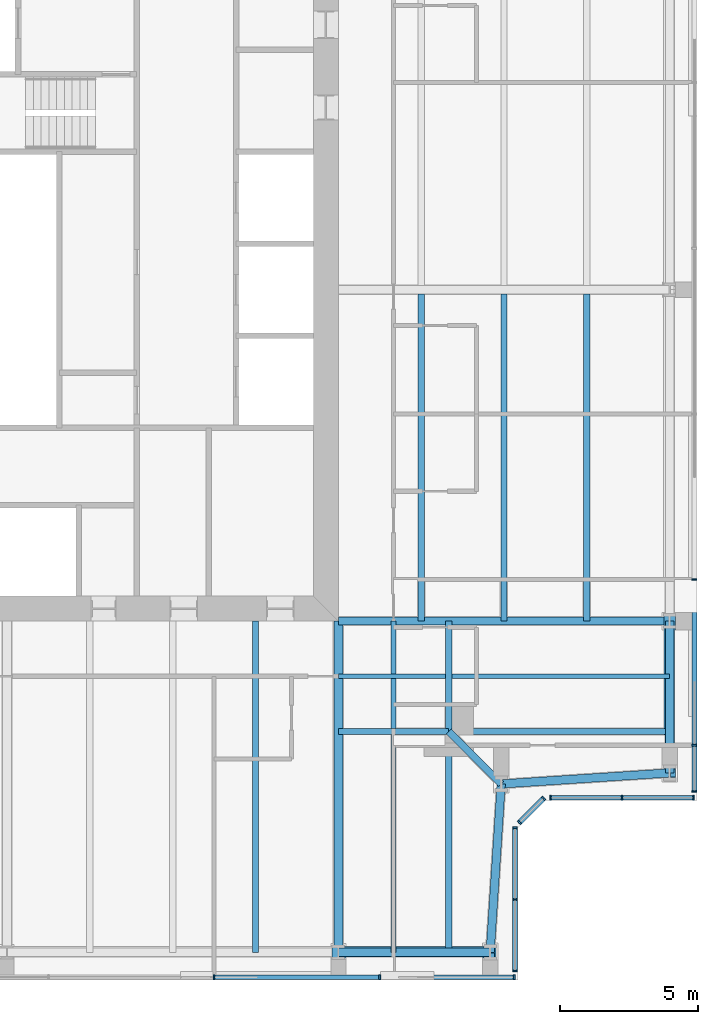
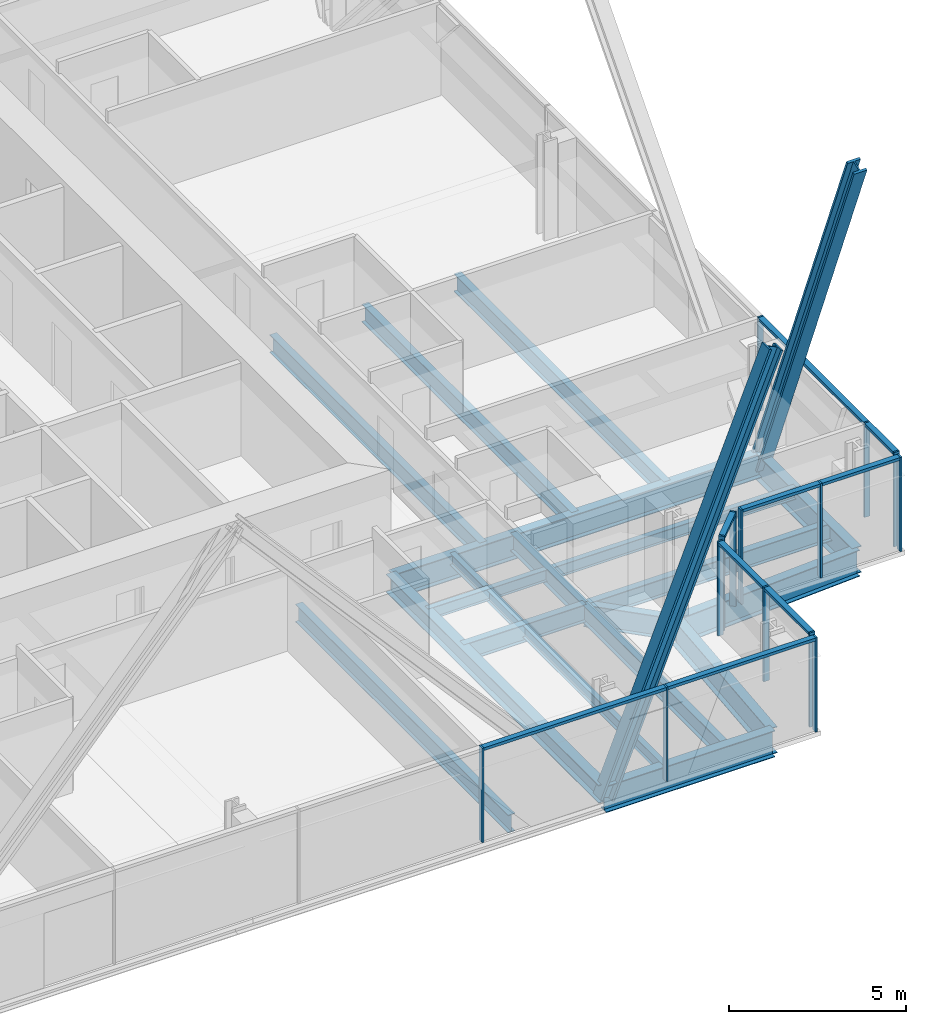
# One storey, part 5 of 18: 25 members, 20 beams, 5 elements without a shape of their own.
"""IFC4 building model written with IfcOpenShell, lengths in metres."""

from ifc_helpers import new_model, si_unit, direction, frame, origin, origin_2d, place, context, subcontext, project, spatial, rectangle, i_section, extrude, material, material_profile, profile_set, type_object, element, aggregate, save


model = new_model("IFC4")

# Units and contexts
model_context = context("Model", 3, precision=1e-05, world=origin(), true_north=direction((0.0, 1.0)))
body_context = subcontext(model_context, "Body", "Model", "MODEL_VIEW")
ifc_project = project(units=[si_unit("LENGTHUNIT", "METRE"), si_unit("AREAUNIT", "SQUARE_METRE"), si_unit("VOLUMEUNIT", "CUBIC_METRE"), si_unit("PLANEANGLEUNIT", "RADIAN"), si_unit("MASSUNIT", "GRAM", prefix="KILO")], contexts=[model_context])

# Site, building, storey
site_placement = place(None, origin())
site = spatial("IfcSite", under=ifc_project, at=site_placement, CompositionType="ELEMENT")
building_placement = place(site_placement, origin())
building = spatial("IfcBuilding", under=site, at=building_placement, Name="Fenwick Lantern Interchange", CompositionType="ELEMENT")
storey_placement = place(building_placement, frame((0.0, 0.0, 269.60009765625)))
storey = spatial("IfcBuildingStorey", under=building, at=storey_placement, Name="L64", CompositionType="ELEMENT", Elevation=269.60009765625)

# Beams
ifc_material_1 = material(Name="Steel ASTM A992 Grade 50", Category="steel")
ifc_material_profile_1 = material_profile(ifc_material_1, i_section(OverallWidth=0.3046875, OverallDepth=0.911865234375, WebThickness=0.015869140625, FlangeThickness=0.02392578125, at=origin_2d()), Name="W36X150")
ifc_profile_set_1 = profile_set([ifc_material_profile_1], Name="Steel ASTM A992 Grade 50")
beam_type_1 = type_object("IfcBeamType", Name="EDGE BEAM W36X150", PredefinedType="SPANDREL", material=ifc_profile_set_1)
beam_1_placement = place(storey_placement, frame((37.0, 1.0, -0.60595703125), z_axis=(1.0, 0.0, 0.0), x_axis=(0.0, 1.0, 0.0)))
element("IfcBeam", 1, at=beam_1_placement, inside=storey, type_object=beam_type_1, Name="L64/FR/S/EB4", PredefinedType="SPANDREL", context=body_context, shape_type="SweptSolid", body=[
    extrude(i_section(OverallWidth=0.3046875, OverallDepth=0.911865234375, WebThickness=0.015869140625, FlangeThickness=0.02392578125, at=origin_2d()), origin(), (0.0, 0.0, 1.0), 5.5),
])
for number, where, z_axis, x_axis, name in (
    (2, (42.5, 1.0, -0.60595703125), (0.065416293237, 0.997858060337, 0.0), (-0.997858060337, 0.065416293237, 0.0), "L64/FR/S/EBR1"),
    (3, (42.89990234375, 7.10009765625, -0.60595703125), (0.997858060337, 0.065416293237, 0.0), (-0.065416293237, 0.997858060337, 0.0), "L64/FR/S/EBR2"),
):
    element("IfcBeam", number, at=place(storey_placement, frame(where, z_axis=z_axis, x_axis=x_axis)), inside=storey, type_object=beam_type_1, Name=name, PredefinedType="SPANDREL", context=body_context, shape_type="SweptSolid", body=[
        extrude(i_section(OverallWidth=0.3046875, OverallDepth=0.911865234375, WebThickness=0.015869140625, FlangeThickness=0.02392578125, at=origin_2d()), origin(), (0.0, 0.0, 1.0), 6.11328125),
    ])
beam_2_placement = place(storey_placement, frame((49.0, 7.5, -0.60595703125), z_axis=(0.0, 1.0, 0.0), x_axis=(-1.0, 0.0, 0.0)))
element("IfcBeam", 4, at=beam_2_placement, inside=storey, type_object=beam_type_1, Name="L64/FR/E/EB1", PredefinedType="SPANDREL", context=body_context, shape_type="SweptSolid", body=[
    extrude(i_section(OverallWidth=0.3046875, OverallDepth=0.911865234375, WebThickness=0.015869140625, FlangeThickness=0.02392578125, at=origin_2d()), origin(), (0.0, 0.0, 1.0), 5.5),
])

# Members
ifc_material_profile_2 = material_profile(ifc_material_1, i_section(OverallWidth=0.424072265625, OverallDepth=0.47509765625, WebThickness=0.0478515625, FlangeThickness=0.0771484375, at=origin_2d()), Name="W14X426")
ifc_profile_set_2 = profile_set([ifc_material_profile_2], Name="Steel ASTM A992 Grade 50")
member_type_1 = type_object("IfcMemberType", Name="FACADE BRACE W14X426", PredefinedType="BRACE", material=ifc_profile_set_2)
for number, where, z_axis, x_axis, name in (
    (5, (37.0, 1.0, -0.60595703125), (0.37491730453, 0.0, 0.92705825856), (0.0, 1.0, 0.0), "L64/FB/S/BE"),
    (6, (49.0, 13.0, -0.60595703125), (0.0, -0.37491730453, 0.92705825856), (1.0, 0.0, 0.0), "L64/FB/E/AE"),
):
    element("IfcMember", number, at=place(storey_placement, frame(where, z_axis=z_axis, x_axis=x_axis)), inside=storey, type_object=member_type_1, Name=name, PredefinedType="BRACE", context=body_context, shape_type="SweptSolid", body=[
        extrude(i_section(OverallWidth=0.424072265625, OverallDepth=0.47509765625, WebThickness=0.0478515625, FlangeThickness=0.0771484375, at=origin_2d()), origin(), (0.0, 0.0, 1.0), 14.669921875),
    ])

# Beams
ifc_material_profile_3 = material_profile(ifc_material_1, i_section(OverallWidth=0.22900390625, OverallDepth=0.612060546875, WebThickness=0.011962890625, FlangeThickness=0.01953125, at=origin_2d()), Name="W24X84")
ifc_profile_set_3 = profile_set([ifc_material_profile_3], Name="Steel ASTM A992 Grade 50")
beam_type_2 = type_object("IfcBeamType", Name="FLOOR BEAM W24X84", PredefinedType="BEAM", material=ifc_profile_set_3)
beam_3_placement = place(storey_placement, frame((34.0, 1.0, -0.4560546875), z_axis=(0.0, 1.0, 0.0), x_axis=(-1.0, 0.0, 0.0)))
element("IfcBeam", 7, at=beam_3_placement, inside=storey, type_object=beam_type_2, Name="L64/FR/S/R08", PredefinedType="BEAM", context=body_context, shape_type="SweptSolid", body=[
    extrude(i_section(OverallWidth=0.22900390625, OverallDepth=0.612060546875, WebThickness=0.011962890625, FlangeThickness=0.01953125, at=origin_2d()), origin(), (0.0, 0.0, 1.0), 12.0),
])
for number, where, z_axis, x_axis, name in (
    (8, (46.0, 13.0, -0.4560546875), (0.0, 1.0, 0.0), (-1.0, 0.0, 0.0), "L64/FR/E/B01"),
    (9, (43.0, 13.0, -0.4560546875), (0.0, 1.0, 0.0), (-1.0, 0.0, 0.0), "L64/FR/E/B02"),
    (10, (40.0, 13.0, -0.4560546875), (0.0, 1.0, 0.0), (-1.0, 0.0, 0.0), "L64/FR/E/B03"),
):
    element("IfcBeam", number, at=place(storey_placement, frame(where, z_axis=z_axis, x_axis=x_axis)), inside=storey, type_object=beam_type_2, Name=name, PredefinedType="BEAM", context=body_context, shape_type="SweptSolid", body=[
        extrude(i_section(OverallWidth=0.22900390625, OverallDepth=0.612060546875, WebThickness=0.011962890625, FlangeThickness=0.01953125, at=origin_2d()), origin(), (0.0, 0.0, 1.0), 11.844970703125),
    ])

# Curtain wall, members
ifc_material_2 = material(Name="Aluminium curtain wall frame", Category="aluminium")
curtain_wall_type = type_object("IfcCurtainWallType", Name="HOTEL CURTAIN WALL", PredefinedType="USERDEFINED", material=ifc_material_2)
curtain_wall_1_placement = place(storey_placement, origin())
curtain_wall_1 = element("IfcCurtainWall", 11, at=curtain_wall_1_placement, inside=storey, type_object=curtain_wall_type, Name="Hotel curtain wall 01", ObjectType="HOTEL CURTAIN WALL", PredefinedType="USERDEFINED")
ifc_material_3 = material(Name="Aluminium extrusion", Category="aluminium")
ifc_material_profile_4 = material_profile(ifc_material_3, rectangle(XDim=0.179931640625, YDim=0.06005859375, at=origin_2d()), Name="HOTEL CURTAIN WALL MULLION 60 X 180")
ifc_profile_set_4 = profile_set([ifc_material_profile_4], Name="Aluminium extrusion")
member_type_2 = type_object("IfcMemberType", Name="HOTEL CURTAIN WALL MULLION 60 X 180", PredefinedType="MULLION", material=ifc_profile_set_4)
member_1_placement = place(storey_placement, frame((32.5, 0.10009765625, 0.0), z_axis=(0.0, 0.0, 1.0), x_axis=(0.0, 1.0, 0.0)))
member_1 = element("IfcMember", 12, at=member_1_placement, type_object=member_type_2, Name="L64/CW/01/M05", PredefinedType="MULLION", context=body_context, shape_type="SweptSolid", body=[
    extrude(rectangle(XDim=0.179931640625, YDim=0.06005859375, at=origin_2d()), origin(), (0.0, 0.0, 1.0), 3.25),
])
member_2_placement = place(storey_placement, frame((38.5, 0.10009765625, 0.0), z_axis=(0.0, 0.0, 1.0), x_axis=(0.0, 1.0, 0.0)))
member_2 = element("IfcMember", 13, at=member_2_placement, type_object=member_type_2, Name="L64/CW/01/M06", PredefinedType="MULLION", context=body_context, shape_type="SweptSolid", body=[
    extrude(rectangle(XDim=0.179931640625, YDim=0.06005859375, at=origin_2d()), origin(), (0.0, 0.0, 1.0), 3.25),
])
member_3_placement = place(storey_placement, frame((43.3701171875, 0.10009765625, 0.0), z_axis=(0.0, 0.0, 1.0), x_axis=(0.0, 1.0, 0.0)))
member_3 = element("IfcMember", 14, at=member_3_placement, type_object=member_type_2, Name="L64/CW/01/M07", PredefinedType="MULLION", context=body_context, shape_type="SweptSolid", body=[
    extrude(rectangle(XDim=0.179931640625, YDim=0.06005859375, at=origin_2d()), origin(), (0.0, 0.0, 1.0), 3.25),
])

curtain_wall_2_placement = place(storey_placement, origin())
curtain_wall_2 = element("IfcCurtainWall", 15, at=curtain_wall_2_placement, inside=storey, type_object=curtain_wall_type, Name="Hotel curtain wall 02", ObjectType="HOTEL CURTAIN WALL", PredefinedType="USERDEFINED")
member_4_placement = place(storey_placement, frame((43.39990234375, 0.330078125, 0.0), z_axis=(0.0, 0.0, 1.0), x_axis=(-1.0, 0.0, 0.0)))
member_4 = element("IfcMember", 16, at=member_4_placement, type_object=member_type_2, Name="L64/CW/02/M00", PredefinedType="MULLION", context=body_context, shape_type="SweptSolid", body=[
    extrude(rectangle(XDim=0.179931640625, YDim=0.06005859375, at=origin_2d()), origin(), (0.0, 0.0, 1.0), 3.25),
])
member_5_placement = place(storey_placement, frame((43.39990234375, 2.920654296875, 0.0), z_axis=(0.0, 0.0, 1.0), x_axis=(-1.0, 0.0, 0.0)))
member_5 = element("IfcMember", 17, at=member_5_placement, type_object=member_type_2, Name="L64/CW/02/M01", PredefinedType="MULLION", context=body_context, shape_type="SweptSolid", body=[
    extrude(rectangle(XDim=0.179931640625, YDim=0.06005859375, at=origin_2d()), origin(), (0.0, 0.0, 1.0), 3.25),
])
member_6_placement = place(storey_placement, frame((43.39990234375, 5.511474609375, 0.0), z_axis=(0.0, 0.0, 1.0), x_axis=(-1.0, 0.0, 0.0)))
member_6 = element("IfcMember", 18, at=member_6_placement, type_object=member_type_2, Name="L64/CW/02/M02", PredefinedType="MULLION", context=body_context, shape_type="SweptSolid", body=[
    extrude(rectangle(XDim=0.179931640625, YDim=0.06005859375, at=origin_2d()), origin(), (0.0, 0.0, 1.0), 3.25),
])

curtain_wall_3_placement = place(storey_placement, origin())
curtain_wall_3 = element("IfcCurtainWall", 19, at=curtain_wall_3_placement, inside=storey, type_object=curtain_wall_type, Name="Hotel curtain wall 03", ObjectType="HOTEL CURTAIN WALL", PredefinedType="USERDEFINED")
member_7_placement = place(storey_placement, frame((43.562744140625, 5.7041015625, 0.0), z_axis=(0.0, 0.0, 1.0), x_axis=(-0.707106781187, 0.707106781187, 0.0)))
member_7 = element("IfcMember", 20, at=member_7_placement, type_object=member_type_2, Name="L64/CW/03/M00", PredefinedType="MULLION", context=body_context, shape_type="SweptSolid", body=[
    extrude(rectangle(XDim=0.179931640625, YDim=0.06005859375, at=origin_2d()), origin(), (0.0, 0.0, 1.0), 3.25),
])
member_8_placement = place(storey_placement, frame((44.437255859375, 6.578857421875, 0.0), z_axis=(0.0, 0.0, 1.0), x_axis=(-0.707106781187, 0.707106781187, 0.0)))
member_8 = element("IfcMember", 21, at=member_8_placement, type_object=member_type_2, Name="L64/CW/03/M01", PredefinedType="MULLION", context=body_context, shape_type="SweptSolid", body=[
    extrude(rectangle(XDim=0.179931640625, YDim=0.06005859375, at=origin_2d()), origin(), (0.0, 0.0, 1.0), 3.25),
])

curtain_wall_4_placement = place(storey_placement, origin())
curtain_wall_4 = element("IfcCurtainWall", 22, at=curtain_wall_4_placement, inside=storey, type_object=curtain_wall_type, Name="Hotel curtain wall 04", ObjectType="HOTEL CURTAIN WALL", PredefinedType="USERDEFINED")
member_9_placement = place(storey_placement, frame((44.6884765625, 6.60009765625, 0.0), z_axis=(0.0, 0.0, 1.0), x_axis=(0.0, 1.0, 0.0)))
member_9 = element("IfcMember", 23, at=member_9_placement, type_object=member_type_2, Name="L64/CW/04/M00", PredefinedType="MULLION", context=body_context, shape_type="SweptSolid", body=[
    extrude(rectangle(XDim=0.179931640625, YDim=0.06005859375, at=origin_2d()), origin(), (0.0, 0.0, 1.0), 3.25),
])
member_10_placement = place(storey_placement, frame((47.279296875, 6.60009765625, 0.0), z_axis=(0.0, 0.0, 1.0), x_axis=(0.0, 1.0, 0.0)))
member_10 = element("IfcMember", 24, at=member_10_placement, type_object=member_type_2, Name="L64/CW/04/M01", PredefinedType="MULLION", context=body_context, shape_type="SweptSolid", body=[
    extrude(rectangle(XDim=0.179931640625, YDim=0.06005859375, at=origin_2d()), origin(), (0.0, 0.0, 1.0), 3.25),
])
member_11_placement = place(storey_placement, frame((49.8701171875, 6.60009765625, 0.0), z_axis=(0.0, 0.0, 1.0), x_axis=(0.0, 1.0, 0.0)))
member_11 = element("IfcMember", 25, at=member_11_placement, type_object=member_type_2, Name="L64/CW/04/M02", PredefinedType="MULLION", context=body_context, shape_type="SweptSolid", body=[
    extrude(rectangle(XDim=0.179931640625, YDim=0.06005859375, at=origin_2d()), origin(), (0.0, 0.0, 1.0), 3.25),
])

curtain_wall_5_placement = place(storey_placement, origin())
curtain_wall_5 = element("IfcCurtainWall", 26, at=curtain_wall_5_placement, inside=storey, type_object=curtain_wall_type, Name="Hotel curtain wall 05", ObjectType="HOTEL CURTAIN WALL", PredefinedType="USERDEFINED")
member_12_placement = place(storey_placement, frame((49.89990234375, 6.830078125, 0.0), z_axis=(0.0, 0.0, 1.0), x_axis=(-1.0, 0.0, 0.0)))
member_12 = element("IfcMember", 27, at=member_12_placement, type_object=member_type_2, Name="L64/CW/05/M00", PredefinedType="MULLION", context=body_context, shape_type="SweptSolid", body=[
    extrude(rectangle(XDim=0.179931640625, YDim=0.06005859375, at=origin_2d()), origin(), (0.0, 0.0, 1.0), 3.25),
])
member_13_placement = place(storey_placement, frame((49.89990234375, 8.5, 0.0), z_axis=(0.0, 0.0, 1.0), x_axis=(-1.0, 0.0, 0.0)))
member_13 = element("IfcMember", 28, at=member_13_placement, type_object=member_type_2, Name="L64/CW/05/M01", PredefinedType="MULLION", context=body_context, shape_type="SweptSolid", body=[
    extrude(rectangle(XDim=0.179931640625, YDim=0.06005859375, at=origin_2d()), origin(), (0.0, 0.0, 1.0), 3.25),
])
member_14_placement = place(storey_placement, frame((49.89990234375, 14.5, 0.0), z_axis=(0.0, 0.0, 1.0), x_axis=(-1.0, 0.0, 0.0)))
member_14 = element("IfcMember", 29, at=member_14_placement, type_object=member_type_2, Name="L64/CW/05/M02", PredefinedType="MULLION", context=body_context, shape_type="SweptSolid", body=[
    extrude(rectangle(XDim=0.179931640625, YDim=0.06005859375, at=origin_2d()), origin(), (0.0, 0.0, 1.0), 3.25),
])

# Member
ifc_material_profile_5 = material_profile(ifc_material_3, rectangle(XDim=0.179931640625, YDim=0.10009765625, at=origin_2d()), Name="HOTEL CURTAIN WALL TRANSOM 100 X 180")
ifc_profile_set_5 = profile_set([ifc_material_profile_5], Name="Aluminium extrusion")
member_type_3 = type_object("IfcMemberType", Name="HOTEL CURTAIN WALL TRANSOM 100 X 180", PredefinedType="MULLION", material=ifc_profile_set_5)
member_15_placement = place(storey_placement, frame((32.530029296875, 0.10009765625, 3.199951171875), z_axis=(1.0, 0.0, 0.0), x_axis=(0.0, 1.0, 0.0)))
member_15 = element("IfcMember", 30, at=member_15_placement, type_object=member_type_3, Name="L64/CW/01/T05", PredefinedType="MULLION", context=body_context, shape_type="SweptSolid", body=[
    extrude(rectangle(XDim=0.179931640625, YDim=0.10009765625, at=origin_2d()), origin(), (0.0, 0.0, 1.0), 5.93994140625),
])

member_16_placement = place(storey_placement, frame((38.530029296875, 0.10009765625, 3.199951171875), z_axis=(1.0, 0.0, 0.0), x_axis=(0.0, 1.0, 0.0)))
member_16 = element("IfcMember", 31, at=member_16_placement, type_object=member_type_3, Name="L64/CW/01/T06", PredefinedType="MULLION", context=body_context, shape_type="SweptSolid", body=[
    extrude(rectangle(XDim=0.179931640625, YDim=0.10009765625, at=origin_2d()), origin(), (0.0, 0.0, 1.0), 4.81005859375),
])

aggregate(curtain_wall_1, [member_1, member_2, member_3, member_15, member_16])

member_17_placement = place(storey_placement, frame((43.39990234375, 0.360107421875, 3.199951171875), z_axis=(0.0, 1.0, 0.0), x_axis=(-1.0, 0.0, 0.0)))
member_17 = element("IfcMember", 32, at=member_17_placement, type_object=member_type_3, Name="L64/CW/02/T00", PredefinedType="MULLION", context=body_context, shape_type="SweptSolid", body=[
    extrude(rectangle(XDim=0.179931640625, YDim=0.10009765625, at=origin_2d()), origin(), (0.0, 0.0, 1.0), 2.530517578125),
])

member_18_placement = place(storey_placement, frame((43.39990234375, 2.95068359375, 3.199951171875), z_axis=(0.0, 1.0, 0.0), x_axis=(-1.0, 0.0, 0.0)))
member_18 = element("IfcMember", 33, at=member_18_placement, type_object=member_type_3, Name="L64/CW/02/T01", PredefinedType="MULLION", context=body_context, shape_type="SweptSolid", body=[
    extrude(rectangle(XDim=0.179931640625, YDim=0.10009765625, at=origin_2d()), origin(), (0.0, 0.0, 1.0), 2.53076171875),
])

aggregate(curtain_wall_2, [member_4, member_5, member_6, member_17, member_18])

member_19_placement = place(storey_placement, frame((43.583740234375, 5.725341796875, 3.199951171875), z_axis=(0.707210470133, 0.707003077033, 0.0), x_axis=(-0.707003077033, 0.707210470133, 0.0)))
member_19 = element("IfcMember", 34, at=member_19_placement, type_object=member_type_3, Name="L64/CW/03/T00", PredefinedType="MULLION", context=body_context, shape_type="SweptSolid", body=[
    extrude(rectangle(XDim=0.179931640625, YDim=0.10009765625, at=origin_2d()), origin(), (0.0, 0.0, 1.0), 1.17724609375),
])

aggregate(curtain_wall_3, [member_7, member_8, member_19])

member_20_placement = place(storey_placement, frame((44.718505859375, 6.60009765625, 3.199951171875), z_axis=(1.0, 0.0, 0.0), x_axis=(0.0, 1.0, 0.0)))
member_20 = element("IfcMember", 35, at=member_20_placement, type_object=member_type_3, Name="L64/CW/04/T00", PredefinedType="MULLION", context=body_context, shape_type="SweptSolid", body=[
    extrude(rectangle(XDim=0.179931640625, YDim=0.10009765625, at=origin_2d()), origin(), (0.0, 0.0, 1.0), 2.53076171875),
])

member_21_placement = place(storey_placement, frame((47.309326171875, 6.60009765625, 3.199951171875), z_axis=(1.0, 0.0, 0.0), x_axis=(0.0, 1.0, 0.0)))
member_21 = element("IfcMember", 36, at=member_21_placement, type_object=member_type_3, Name="L64/CW/04/T01", PredefinedType="MULLION", context=body_context, shape_type="SweptSolid", body=[
    extrude(rectangle(XDim=0.179931640625, YDim=0.10009765625, at=origin_2d()), origin(), (0.0, 0.0, 1.0), 2.53076171875),
])

aggregate(curtain_wall_4, [member_9, member_10, member_11, member_20, member_21])

member_22_placement = place(storey_placement, frame((49.89990234375, 6.860107421875, 3.199951171875), z_axis=(0.0, 1.0, 0.0), x_axis=(-1.0, 0.0, 0.0)))
member_22 = element("IfcMember", 37, at=member_22_placement, type_object=member_type_3, Name="L64/CW/05/T00", PredefinedType="MULLION", context=body_context, shape_type="SweptSolid", body=[
    extrude(rectangle(XDim=0.179931640625, YDim=0.10009765625, at=origin_2d()), origin(), (0.0, 0.0, 1.0), 1.60986328125),
])

member_23_placement = place(storey_placement, frame((49.89990234375, 8.530029296875, 3.199951171875), z_axis=(0.0, 1.0, 0.0), x_axis=(-1.0, 0.0, 0.0)))
member_23 = element("IfcMember", 38, at=member_23_placement, type_object=member_type_3, Name="L64/CW/05/T01", PredefinedType="MULLION", context=body_context, shape_type="SweptSolid", body=[
    extrude(rectangle(XDim=0.179931640625, YDim=0.10009765625, at=origin_2d()), origin(), (0.0, 0.0, 1.0), 5.93994140625),
])

aggregate(curtain_wall_5, [member_12, member_13, member_14, member_22, member_23])

# Beams
ifc_material_profile_6 = material_profile(ifc_material_1, i_section(OverallWidth=0.177734375, OverallDepth=0.406494140625, WebThickness=0.0078125, FlangeThickness=0.012939453125, at=origin_2d()), Name="W16X40")
ifc_profile_set_6 = profile_set([ifc_material_profile_6], Name="Steel ASTM A992 Grade 50")
beam_type_3 = type_object("IfcBeamType", Name="INFILL BEAM W16X40", PredefinedType="JOIST", material=ifc_profile_set_6)
beam_4_placement = place(storey_placement, frame((49.0, 11.0, -0.353271484375), z_axis=(-1.0, 0.0, 0.0), x_axis=(0.0, -1.0, 0.0)))
element("IfcBeam", 39, at=beam_4_placement, inside=storey, type_object=beam_type_3, Name="L64/FR/E/J1", PredefinedType="JOIST", context=body_context, shape_type="SweptSolid", body=[
    extrude(i_section(OverallWidth=0.177734375, OverallDepth=0.406494140625, WebThickness=0.0078125, FlangeThickness=0.012939453125, at=origin_2d()), origin(), (0.0, 0.0, 1.0), 7.885498046875),
])
beam_5_placement = place(storey_placement, frame((40.885498046875, 11.0, -0.353271484375), z_axis=(-1.0, 0.0, 0.0), x_axis=(0.0, -1.0, 0.0)))
element("IfcBeam", 40, at=beam_5_placement, inside=storey, type_object=beam_type_3, Name="L64/FR/E/J2", PredefinedType="JOIST", context=body_context, shape_type="SweptSolid", body=[
    extrude(i_section(OverallWidth=0.177734375, OverallDepth=0.406494140625, WebThickness=0.0078125, FlangeThickness=0.012939453125, at=origin_2d()), origin(), (0.0, 0.0, 1.0), 3.885498046875),
])
beam_6_placement = place(storey_placement, frame((39.0, 1.0, -0.353271484375), z_axis=(0.0, 1.0, 0.0), x_axis=(-1.0, 0.0, 0.0)))
element("IfcBeam", 41, at=beam_6_placement, inside=storey, type_object=beam_type_3, Name="L64/FR/E/J3", PredefinedType="JOIST", context=body_context, shape_type="SweptSolid", body=[
    extrude(i_section(OverallWidth=0.177734375, OverallDepth=0.406494140625, WebThickness=0.0078125, FlangeThickness=0.012939453125, at=origin_2d()), origin(), (0.0, 0.0, 1.0), 7.885498046875),
])
beam_7_placement = place(storey_placement, frame((39.0, 9.114501953125, -0.353271484375), z_axis=(0.0, 1.0, 0.0), x_axis=(-1.0, 0.0, 0.0)))
element("IfcBeam", 42, at=beam_7_placement, inside=storey, type_object=beam_type_3, Name="L64/FR/E/J4", PredefinedType="JOIST", context=body_context, shape_type="SweptSolid", body=[
    extrude(i_section(OverallWidth=0.177734375, OverallDepth=0.406494140625, WebThickness=0.0078125, FlangeThickness=0.012939453125, at=origin_2d()), origin(), (0.0, 0.0, 1.0), 1.796630859375),
])
beam_8_placement = place(storey_placement, frame((39.0, 11.0888671875, -0.353271484375), z_axis=(0.0, 1.0, 0.0), x_axis=(-1.0, 0.0, 0.0)))
element("IfcBeam", 43, at=beam_8_placement, inside=storey, type_object=beam_type_3, Name="L64/FR/E/J5", PredefinedType="JOIST", context=body_context, shape_type="SweptSolid", body=[
    extrude(i_section(OverallWidth=0.177734375, OverallDepth=0.406494140625, WebThickness=0.0078125, FlangeThickness=0.012939453125, at=origin_2d()), origin(), (0.0, 0.0, 1.0), 1.9111328125),
])
ifc_material_profile_7 = material_profile(ifc_material_1, i_section(OverallWidth=0.22900390625, OverallDepth=0.612060546875, WebThickness=0.011962890625, FlangeThickness=0.01953125, at=origin_2d()), Name="W24X84")
ifc_profile_set_7 = profile_set([ifc_material_profile_7], Name="Steel ASTM A992 Grade 50")
beam_type_4 = type_object("IfcBeamType", Name="MEGA COLUMN BEAM W24X84", PredefinedType="BEAM", material=ifc_profile_set_7)
for number, where, z_axis, x_axis, name in (
    (44, (41.0, 9.0, -0.4560546875), (1.0, 0.0, 0.0), (0.0, 1.0, 0.0), "L64/FR/E/MB1"),
    (45, (41.0, 9.0, -0.4560546875), (0.0, -1.0, 0.0), (1.0, 0.0, 0.0), "L64/FR/E/MB2"),
):
    element("IfcBeam", number, at=place(storey_placement, frame(where, z_axis=z_axis, x_axis=x_axis)), inside=storey, type_object=beam_type_4, Name=name, PredefinedType="BEAM", context=body_context, shape_type="SweptSolid", body=[
        extrude(i_section(OverallWidth=0.22900390625, OverallDepth=0.612060546875, WebThickness=0.011962890625, FlangeThickness=0.01953125, at=origin_2d()), origin(), (0.0, 0.0, 1.0), 8.0),
    ])
for number, where, z_axis, x_axis, name in (
    (46, (41.0, 9.0, -0.4560546875), (0.0, 1.0, 0.0), (-1.0, 0.0, 0.0), "L64/FR/E/MB3"),
    (47, (41.0, 9.0, -0.4560546875), (-1.0, 0.0, 0.0), (0.0, -1.0, 0.0), "L64/FR/E/MB4"),
):
    element("IfcBeam", number, at=place(storey_placement, frame(where, z_axis=z_axis, x_axis=x_axis)), inside=storey, type_object=beam_type_4, Name=name, PredefinedType="BEAM", context=body_context, shape_type="SweptSolid", body=[
        extrude(i_section(OverallWidth=0.22900390625, OverallDepth=0.612060546875, WebThickness=0.011962890625, FlangeThickness=0.01953125, at=origin_2d()), origin(), (0.0, 0.0, 1.0), 4.0),
    ])
ifc_material_profile_8 = material_profile(ifc_material_1, i_section(OverallWidth=0.32763671875, OverallDepth=0.622314453125, WebThickness=0.015380859375, FlangeThickness=0.0244140625, at=origin_2d()), Name="W24X131")
ifc_profile_set_8 = profile_set([ifc_material_profile_8], Name="Steel ASTM A992 Grade 50")
beam_type_5 = type_object("IfcBeamType", Name="MOMENT-CONNECTED GIRDER W24X131", PredefinedType="BEAM", material=ifc_profile_set_8)
beam_9_placement = place(storey_placement, frame((37.0, 1.0, -0.461181640625), z_axis=(0.0, 1.0, 0.0), x_axis=(-1.0, 0.0, 0.0)))
element("IfcBeam", 48, at=beam_9_placement, inside=storey, type_object=beam_type_5, Name="L64/FR/S/R09", PredefinedType="BEAM", context=body_context, shape_type="SweptSolid", body=[
    extrude(i_section(OverallWidth=0.32763671875, OverallDepth=0.622314453125, WebThickness=0.015380859375, FlangeThickness=0.0244140625, at=origin_2d()), origin(), (0.0, 0.0, 1.0), 12.0),
])
ifc_material_profile_9 = material_profile(ifc_material_1, i_section(OverallWidth=0.2919921875, OverallDepth=0.845703125, WebThickness=0.015380859375, FlangeThickness=0.0244140625, at=origin_2d()), Name="W33X141")
ifc_profile_set_9 = profile_set([ifc_material_profile_9], Name="Steel ASTM A992 Grade 50")
beam_type_6 = type_object("IfcBeamType", Name="MOMENT-CONNECTED GIRDER W33X141", PredefinedType="BEAM", material=ifc_profile_set_9)
beam_10_placement = place(storey_placement, frame((49.0, 13.0, -0.572998046875), z_axis=(-1.0, 0.0, 0.0), x_axis=(0.0, -1.0, 0.0)))
element("IfcBeam", 49, at=beam_10_placement, inside=storey, type_object=beam_type_6, Name="L64/FR/E/R01", PredefinedType="BEAM", context=body_context, shape_type="SweptSolid", body=[
    extrude(i_section(OverallWidth=0.2919921875, OverallDepth=0.845703125, WebThickness=0.015380859375, FlangeThickness=0.0244140625, at=origin_2d()), origin(), (0.0, 0.0, 1.0), 12.0),
])
ifc_material_profile_10 = material_profile(ifc_material_1, i_section(OverallWidth=0.2666015625, OverallDepth=0.7568359375, WebThickness=0.013916015625, FlangeThickness=0.019287109375, at=origin_2d()), Name="W30X108")
ifc_profile_set_10 = profile_set([ifc_material_profile_10], Name="Steel ASTM A992 Grade 50")
beam_type_7 = type_object("IfcBeamType", Name="NOTCH BEAM W30X108", PredefinedType="BEAM", material=ifc_profile_set_10)
beam_11_placement = place(storey_placement, frame((41.0, 9.0, -0.528564453125), z_axis=(0.707106781187, -0.707106781187, 0.0), x_axis=(0.707106781187, 0.707106781187, 0.0)))
element("IfcBeam", 50, at=beam_11_placement, inside=storey, type_object=beam_type_7, Name="L64/FR/E/TG", PredefinedType="BEAM", context=body_context, shape_type="SweptSolid", body=[
    extrude(i_section(OverallWidth=0.2666015625, OverallDepth=0.7568359375, WebThickness=0.013916015625, FlangeThickness=0.019287109375, at=origin_2d()), origin(), (0.0, 0.0, 1.0), 2.686767578125),
])

save(model, "model.ifc")
